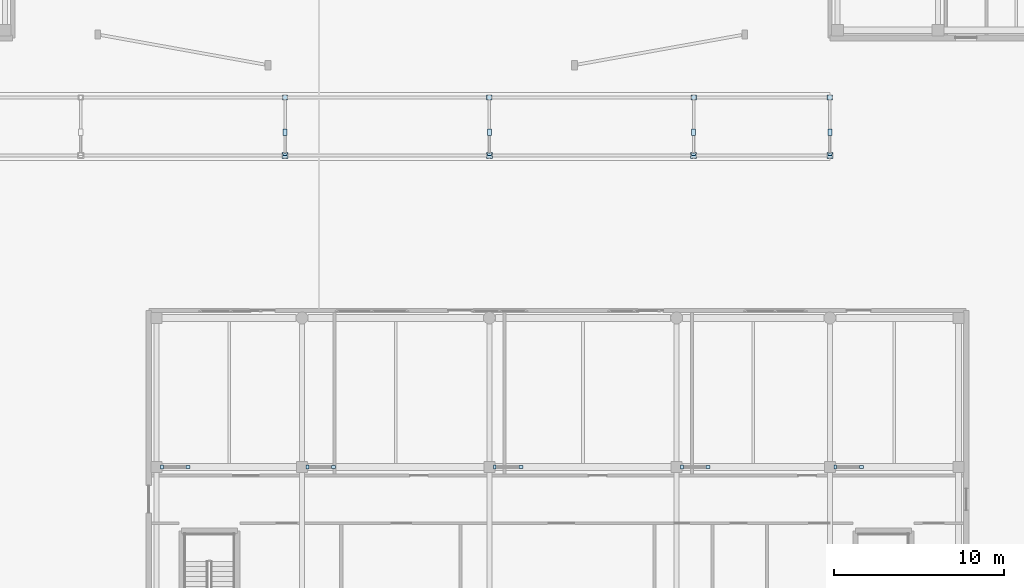
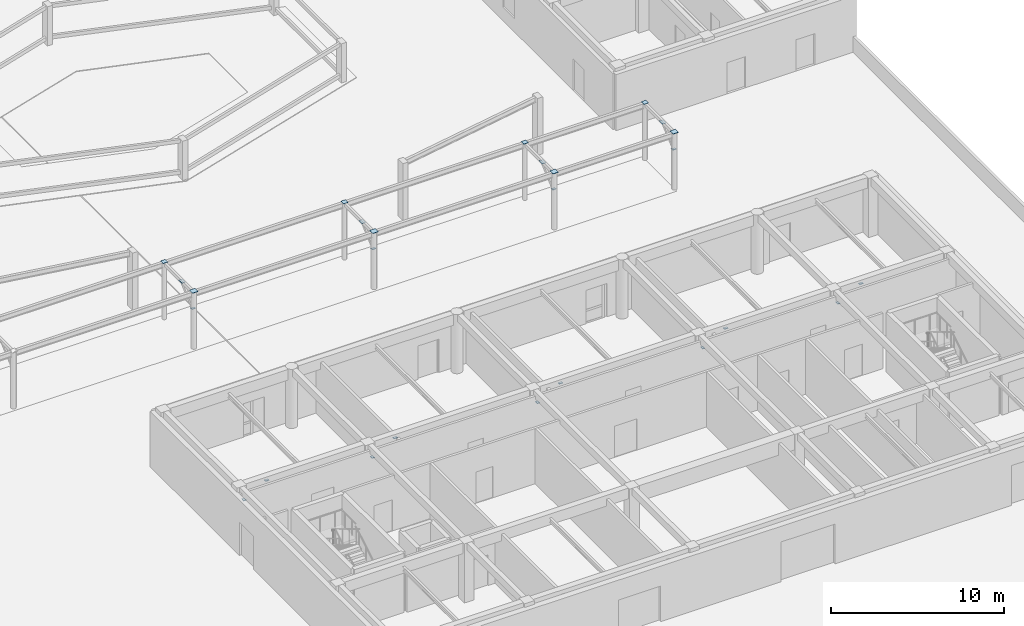
# One storey, part 70 of 114: 26 plates.
"""IFC4 building model written with IfcOpenShell, lengths in metres."""

from ifc_helpers import new_model, si_unit, direction, frame, origin, origin_2d, place, context, subcontext, project, spatial, rectangle, extrude, material, layer, layer_set, type_object, element, save


model = new_model("IFC4")

# Units and contexts
model_context = context("Model", 3, precision=1e-05, world=origin(), true_north=direction((0.0, 1.0)))
body_context = subcontext(model_context, "Body", "Model", "MODEL_VIEW")
ifc_project = project(units=[si_unit("LENGTHUNIT", "METRE"), si_unit("AREAUNIT", "SQUARE_METRE"), si_unit("VOLUMEUNIT", "CUBIC_METRE"), si_unit("PLANEANGLEUNIT", "RADIAN"), si_unit("MASSUNIT", "GRAM", prefix="KILO")], contexts=[model_context])

# Site, building, storey
site_placement = place(None, origin())
site = spatial("IfcSite", under=ifc_project, at=site_placement, CompositionType="ELEMENT")
building_placement = place(site_placement, origin())
building = spatial("IfcBuilding", under=site, at=building_placement, Name="Keldmere Railside Commons", CompositionType="ELEMENT")
storey_placement = place(building_placement, origin())
storey = spatial("IfcBuildingStorey", under=building, at=storey_placement, Name="L00", CompositionType="ELEMENT", Elevation=0.0)

# Plates
ifc_material = material(Name="Steel F-36 (S355)", Category="steel")
ifc_layer_1 = layer(ifc_material, 0.02001953125, Name="Canopy CHS273 Cap Plate 310x310x20")
ifc_layer_set_1 = layer_set([ifc_layer_1], Name="Steel F-36 (S355)")
plate_type_1 = type_object("IfcPlateType", Name="Canopy CHS273 Cap Plate 310x310x20", PredefinedType="SHEET", material=ifc_layer_set_1)
for number, where, z_axis, x_axis, name in (
    (1, (136.0, 52.5, 3.989990234375), (0.0, 0.0, 1.0), (1.0, 0.0, 0.0), "CP-2 CP-1323"),
    (2, (148.0, 52.5, 3.989990234375), (0.0, 0.0, 1.0), (1.0, 0.0, 0.0), "CP-2 CP-1419"),
    (3, (160.0, 52.5, 3.989990234375), (0.0, 0.0, 1.0), (1.0, 0.0, 0.0), "CP-2 CP-1476"),
    (4, (168.0, 52.5, 3.989990234375), (0.0, 0.0, 1.0), (1.0, 0.0, 0.0), "CP-2 CP-1542"),
):
    element("IfcPlate", number, at=place(storey_placement, frame(where, z_axis=z_axis, x_axis=x_axis)), inside=storey, type_object=plate_type_1, Name=name, PredefinedType="SHEET", context=body_context, shape_type="SweptSolid", body=[
        extrude(rectangle(XDim=0.31005859375, YDim=0.31005859375, at=origin_2d()), origin(), (0.0, 0.0, 1.0), 0.02001953125),
    ])
ifc_layer_2 = layer(ifc_material, 0.01806640625, Name="Canopy Node Gusset Plate 380x240x18")
ifc_layer_set_2 = layer_set([ifc_layer_2], Name="Steel F-36 (S355)")
plate_type_2 = type_object("IfcPlateType", Name="Canopy Node Gusset Plate 380x240x18", PredefinedType="USERDEFINED", material=ifc_layer_set_2)
for number, where, z_axis, x_axis, name in (
    (5, (136.0, 50.449951171875, 3.85107421875), (0.0, 0.0, 1.0), (0.0, 1.0, 0.0), "NP-4 Canopy Gusset 11"),
    (6, (148.0, 50.449951171875, 3.85107421875), (0.0, 0.0, 1.0), (0.0, 1.0, 0.0), "NP-4 Canopy Gusset 12"),
    (7, (160.0, 50.449951171875, 3.85107421875), (0.0, 0.0, 1.0), (0.0, 1.0, 0.0), "NP-4 Canopy Gusset 13"),
    (8, (168.0, 50.449951171875, 3.85107421875), (0.0, 0.0, 1.0), (0.0, 1.0, 0.0), "NP-4 Canopy Gusset 14"),
):
    element("IfcPlate", number, at=place(storey_placement, frame(where, z_axis=z_axis, x_axis=x_axis)), inside=storey, type_object=plate_type_2, Name=name, ObjectType="GUSSET_PLATE", PredefinedType="USERDEFINED", context=body_context, shape_type="SweptSolid", body=[
        extrude(rectangle(XDim=0.3798828125, YDim=0.239990234375, at=origin_2d()), origin(), (0.0, 0.0, 1.0), 0.01806640625),
    ])
ifc_layer_3 = layer(ifc_material, 0.02392578125, Name="Colonnade CHS324 Cap Plate 360x360x24")
ifc_layer_set_3 = layer_set([ifc_layer_3], Name="Steel F-36 (S355)")
plate_type_3 = type_object("IfcPlateType", Name="Colonnade CHS324 Cap Plate 360x360x24", PredefinedType="SHEET", material=ifc_layer_set_3)
for number, where, z_axis, x_axis, name in (
    (9, (136.0, 49.10009765625, 3.986083984375), (0.0, 0.0, 1.0), (1.0, 0.0, 0.0), "CP-1 CP-1321"),
    (10, (148.0, 49.10009765625, 3.986083984375), (0.0, 0.0, 1.0), (1.0, 0.0, 0.0), "CP-1 CP-1417"),
    (11, (160.0, 49.10009765625, 3.986083984375), (0.0, 0.0, 1.0), (1.0, 0.0, 0.0), "CP-1 CP-1474"),
    (12, (168.0, 49.10009765625, 3.986083984375), (0.0, 0.0, 1.0), (1.0, 0.0, 0.0), "CP-1 CP-1540"),
):
    element("IfcPlate", number, at=place(storey_placement, frame(where, z_axis=z_axis, x_axis=x_axis)), inside=storey, type_object=plate_type_3, Name=name, PredefinedType="SHEET", context=body_context, shape_type="SweptSolid", body=[
        extrude(rectangle(XDim=0.360107421875, YDim=0.360107421875, at=origin_2d()), origin(), (0.0, 0.0, 1.0), 0.02392578125),
    ])
ifc_layer_4 = layer(ifc_material, 0.01611328125, Name="Strut End Cap Plate 240x160x16")
ifc_layer_set_4 = layer_set([ifc_layer_4], Name="Steel F-36 (S355)")
plate_type_4 = type_object("IfcPlateType", Name="Strut End Cap Plate 240x160x16", PredefinedType="SHEET", material=ifc_layer_set_4)
for number, where, z_axis, x_axis, name in (
    (13, (136.0, 49.159912109375, 2.741943359375), (0.0, 0.0, 1.0), (1.0, 0.0, 0.0), "CP-3 Strut Cap 11"),
    (14, (148.0, 49.159912109375, 2.741943359375), (0.0, 0.0, 1.0), (1.0, 0.0, 0.0), "CP-3 Strut Cap 12"),
    (15, (160.0, 49.159912109375, 2.741943359375), (0.0, 0.0, 1.0), (1.0, 0.0, 0.0), "CP-3 Strut Cap 13"),
    (16, (168.0, 49.159912109375, 2.741943359375), (0.0, 0.0, 1.0), (1.0, 0.0, 0.0), "CP-3 Strut Cap 14"),
    (17, (128.77001953125, 30.800048828125, 2.94189453125), (0.0, 0.0, 1.0), (0.0, 1.0, 0.0), "CP-3 Knee Brace Cap 1"),
    (18, (130.300048828125, 30.800048828125, 3.77197265625), (0.0, 0.0, 1.0), (1.0, 0.0, 0.0), "CP-3 Knee Brace Top Cap 1"),
    (19, (137.320068359375, 30.800048828125, 2.94189453125), (0.0, 0.0, 1.0), (0.0, 1.0, 0.0), "CP-3 Knee Brace Cap 2"),
    (20, (138.85009765625, 30.800048828125, 3.77197265625), (0.0, 0.0, 1.0), (1.0, 0.0, 0.0), "CP-3 Knee Brace Top Cap 2"),
    (21, (148.320068359375, 30.800048828125, 2.94189453125), (0.0, 0.0, 1.0), (0.0, 1.0, 0.0), "CP-3 Knee Brace Cap 3"),
    (22, (149.85009765625, 30.800048828125, 3.77197265625), (0.0, 0.0, 1.0), (1.0, 0.0, 0.0), "CP-3 Knee Brace Top Cap 3"),
    (23, (159.320068359375, 30.800048828125, 2.94189453125), (0.0, 0.0, 1.0), (0.0, 1.0, 0.0), "CP-3 Knee Brace Cap 4"),
    (24, (160.85009765625, 30.800048828125, 3.77197265625), (0.0, 0.0, 1.0), (1.0, 0.0, 0.0), "CP-3 Knee Brace Top Cap 4"),
    (25, (168.320068359375, 30.800048828125, 2.94189453125), (0.0, 0.0, 1.0), (0.0, 1.0, 0.0), "CP-3 Knee Brace Cap 5"),
    (26, (169.85009765625, 30.800048828125, 3.77197265625), (0.0, 0.0, 1.0), (1.0, 0.0, 0.0), "CP-3 Knee Brace Top Cap 5"),
):
    element("IfcPlate", number, at=place(storey_placement, frame(where, z_axis=z_axis, x_axis=x_axis)), inside=storey, type_object=plate_type_4, Name=name, PredefinedType="SHEET", context=body_context, shape_type="SweptSolid", body=[
        extrude(rectangle(XDim=0.239990234375, YDim=0.159912109375, at=origin_2d()), origin(), (0.0, 0.0, 1.0), 0.01611328125),
    ])

save(model, "model.ifc")
